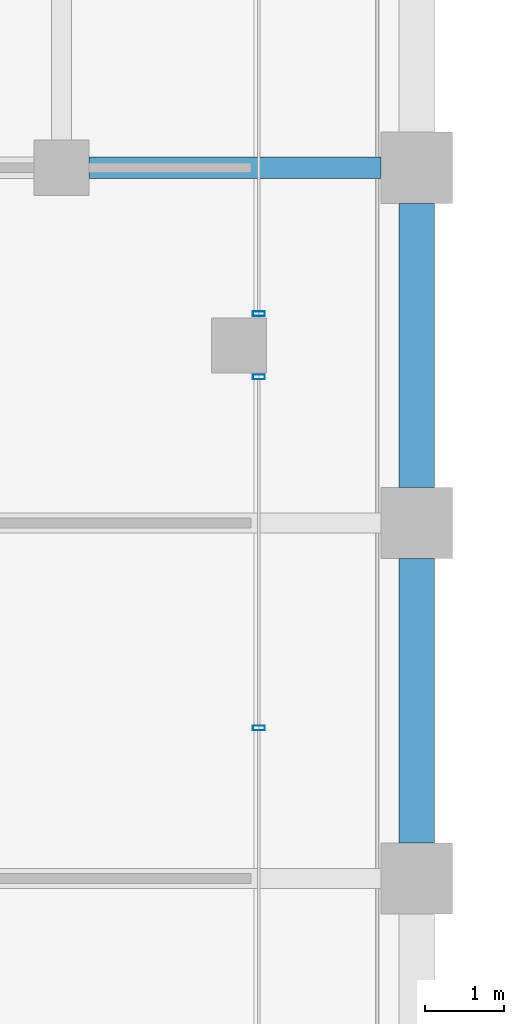
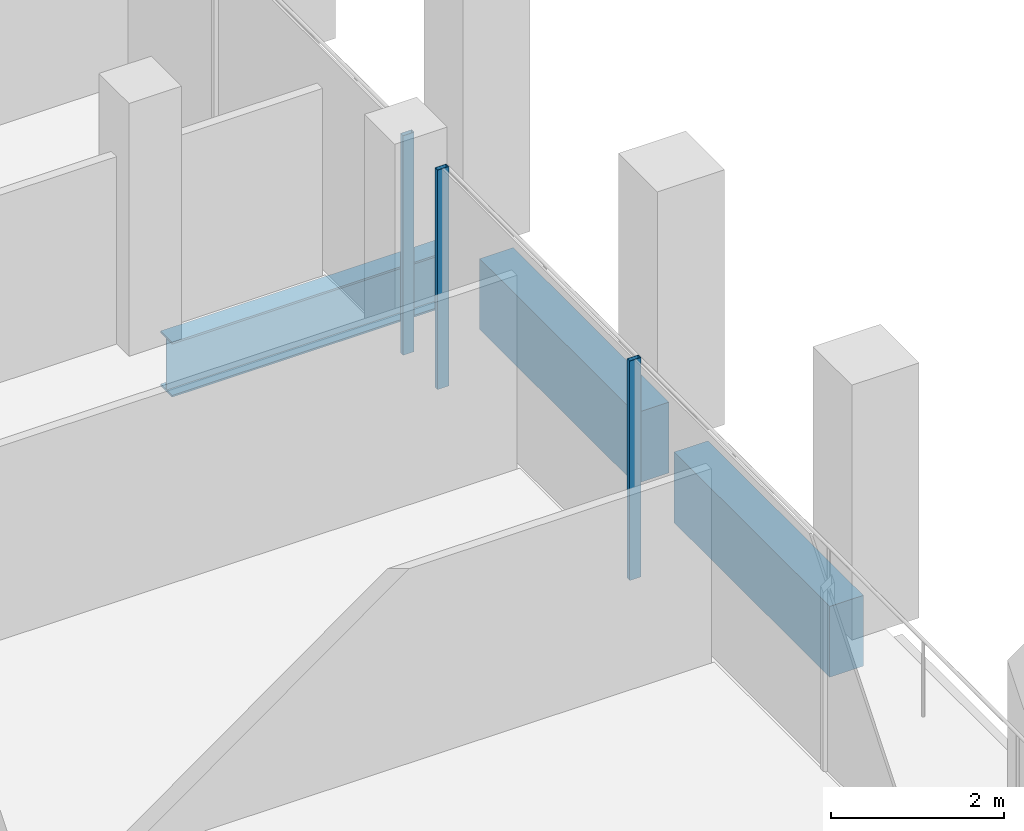
# One storey, part 19 of 40: 3 beams, 3 members, 2 elements without a shape of their own.
"""IFC4 building model written with IfcOpenShell, lengths in metres."""

from ifc_helpers import new_model, si_unit, direction, frame, origin, origin_2d, place, context, subcontext, project, spatial, rectangle, hollow_rectangle, i_section, extrude, material, material_profile, profile_set, type_object, element, aggregate, save


model = new_model("IFC4")

# Units and contexts
model_context = context("Model", 3, precision=1e-05, world=origin(), true_north=direction((0.0, 1.0)))
body_context = subcontext(model_context, "Body", "Model", "MODEL_VIEW")
ifc_project = project(units=[si_unit("LENGTHUNIT", "METRE"), si_unit("AREAUNIT", "SQUARE_METRE"), si_unit("VOLUMEUNIT", "CUBIC_METRE"), si_unit("PLANEANGLEUNIT", "RADIAN"), si_unit("MASSUNIT", "GRAM", prefix="KILO")], contexts=[model_context])

# Site, building, storey
site_placement = place(None, origin())
site = spatial("IfcSite", under=ifc_project, at=site_placement, CompositionType="ELEMENT")
building_placement = place(site_placement, origin())
building = spatial("IfcBuilding", under=site, at=building_placement, Name="Altepetl Exchange Towers", CompositionType="ELEMENT")
storey_placement = place(building_placement, frame((0.0, 0.0, 176.199951171875)))
storey = spatial("IfcBuildingStorey", under=building, at=storey_placement, Name="L44", CompositionType="ELEMENT", Elevation=176.199951171875)

# Beam
ifc_material_1 = material(Name="Steel S355", Category="steel")
ifc_material_profile_1 = material_profile(ifc_material_1, i_section(OverallWidth=0.26806640625, OverallDepth=0.77392578125, WebThickness=0.015380859375, FlangeThickness=0.025390625, at=origin_2d()), Name="W30X132")
ifc_profile_set_1 = profile_set([ifc_material_profile_1], Name="Steel S355")
beam_type_1 = type_object("IfcBeamType", Name="Girder W30X132", PredefinedType="BEAM", material=ifc_profile_set_1)
beam_placement = place(storey_placement, frame((67.85009765625, 58.5, -0.536865234375), z_axis=(1.0, 0.0, 0.0), x_axis=(0.0, 1.0, 0.0)))
element("IfcBeam", 1, at=beam_placement, inside=storey, type_object=beam_type_1, Name="gd:A:L44:002", PredefinedType="BEAM", context=body_context, shape_type="SweptSolid", body=[
    extrude(i_section(OverallWidth=0.26806640625, OverallDepth=0.77392578125, WebThickness=0.015380859375, FlangeThickness=0.025390625, at=origin_2d()), origin(), (0.0, 0.0, 1.0), 3.699951171875),
])

# Curtain wall, members
ifc_material_2 = material(Name="Aluminium 6063-T6 glazing", Category="aluminium")
curtain_wall_type = type_object("IfcCurtainWallType", Name="Loggia glazing system", PredefinedType="NOTDEFINED", material=ifc_material_2)
curtain_wall_1_placement = place(storey_placement, origin())
curtain_wall_1 = element("IfcCurtainWall", 2, at=curtain_wall_1_placement, inside=storey, type_object=curtain_wall_type, Name="CW1 run", PredefinedType="NOTDEFINED")
ifc_material_3 = material(Name="Aluminium 6063-T6", Category="aluminium")
ifc_material_profile_2 = material_profile(ifc_material_3, hollow_rectangle(XDim=0.06005859375, YDim=0.14990234375, WallThickness=0.0029296875, at=origin_2d()), Name="Mullion 60x150 aluminium")
ifc_profile_set_2 = profile_set([ifc_material_profile_2], Name="Aluminium 6063-T6")
member_type = type_object("IfcMemberType", Name="Mullion 60x150 aluminium", PredefinedType="MULLION", material=ifc_profile_set_2)
member_1_placement = place(storey_placement, frame((70.0, 51.404052734375, 0.0), z_axis=(0.0, 0.0, 1.0), x_axis=(0.0, 1.0, 0.0)))
member_1 = element("IfcMember", 3, at=member_1_placement, type_object=member_type, Name="MU1 mullion", PredefinedType="MULLION", context=body_context, shape_type="SweptSolid", body=[
    extrude(hollow_rectangle(XDim=0.06005859375, YDim=0.14990234375, WallThickness=0.0029296875, at=origin_2d()), origin(), (0.0, 0.0, 1.0), 3.10009765625),
])
member_2_placement = place(storey_placement, frame((70.0, 55.85009765625, 0.0), z_axis=(0.0, 0.0, 1.0), x_axis=(0.0, 1.0, 0.0)))
member_2 = element("IfcMember", 4, at=member_2_placement, type_object=member_type, Name="MU1 mullion", PredefinedType="MULLION", context=body_context, shape_type="SweptSolid", body=[
    extrude(hollow_rectangle(XDim=0.06005859375, YDim=0.14990234375, WallThickness=0.0029296875, at=origin_2d()), origin(), (0.0, 0.0, 1.0), 3.10009765625),
])
aggregate(curtain_wall_1, [member_1, member_2])

# Curtain wall, member
curtain_wall_2_placement = place(storey_placement, origin())
curtain_wall_2 = element("IfcCurtainWall", 5, at=curtain_wall_2_placement, inside=storey, type_object=curtain_wall_type, Name="CW1 run", PredefinedType="NOTDEFINED")
member_3_placement = place(storey_placement, frame((70.0, 56.64990234375, 0.0), z_axis=(0.0, 0.0, 1.0), x_axis=(0.0, 1.0, 0.0)))
member_3 = element("IfcMember", 6, at=member_3_placement, type_object=member_type, Name="MU1 mullion", PredefinedType="MULLION", context=body_context, shape_type="SweptSolid", body=[
    extrude(hollow_rectangle(XDim=0.06005859375, YDim=0.14990234375, WallThickness=0.0029296875, at=origin_2d()), origin(), (0.0, 0.0, 1.0), 3.10009765625),
])
aggregate(curtain_wall_2, [member_3])

# Beams
ifc_material_4 = material(Name="Concrete C50/60 precast with cantera amarilla facing", Category="concrete")
ifc_material_profile_3 = material_profile(ifc_material_4, rectangle(XDim=0.449951171875, YDim=1.0, at=origin_2d()), Name="450 x 1000")
ifc_profile_set_3 = profile_set([ifc_material_profile_3], Name="Concrete C50/60 precast with cantera amarilla facing")
beam_type_2 = type_object("IfcBeamType", Name="Spandrel beam 450x1000 cantera amarilla", PredefinedType="SPANDREL", material=ifc_profile_set_3)
for number, where, z_axis, x_axis, name in (
    (7, (72.0, 49.949951171875, -0.64990234375), (0.0, 1.0, 0.0), (-1.0, 0.0, 0.0), "sp:A:L44:016"),
    (8, (72.0, 54.449951171875, -0.64990234375), (0.0, 1.0, 0.0), (-1.0, 0.0, 0.0), "sp:A:L44:017"),
):
    element("IfcBeam", number, at=place(storey_placement, frame(where, z_axis=z_axis, x_axis=x_axis)), inside=storey, type_object=beam_type_2, Name=name, PredefinedType="SPANDREL", context=body_context, shape_type="SweptSolid", body=[
        extrude(rectangle(XDim=0.449951171875, YDim=1.0, at=origin_2d()), origin(), (0.0, 0.0, 1.0), 3.60009765625),
    ])

save(model, "model.ifc")
